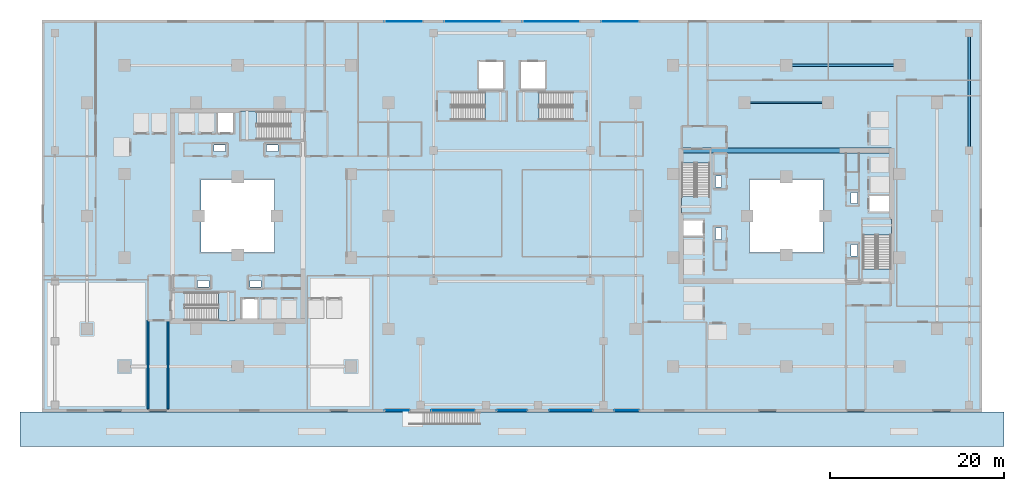
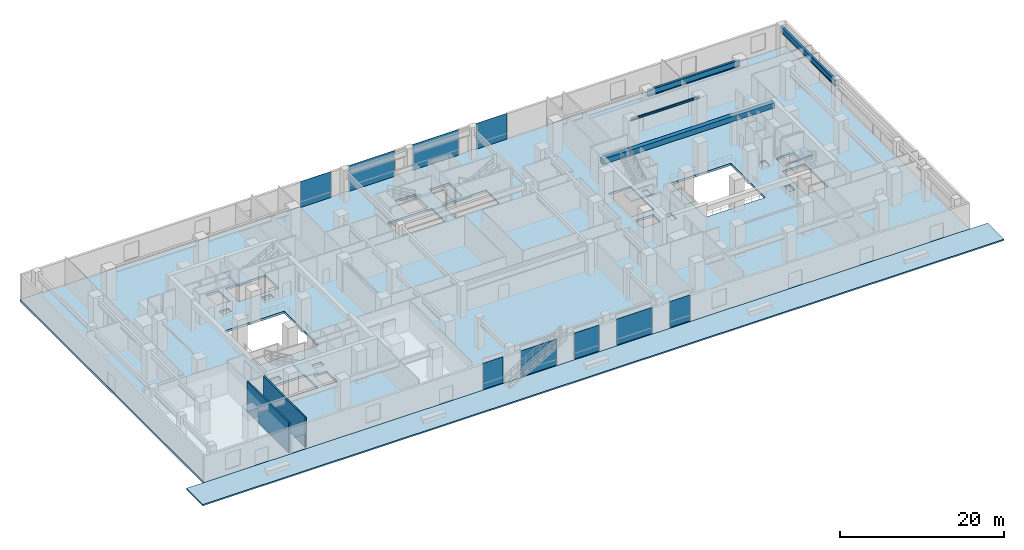
# One storey, part 11 of 24: 9 plates, 8 slabs, 4 beams, 2 walls, 15 elements without a shape of their own.
"""IFC4 building model written with IfcOpenShell, lengths in metres."""

from ifc_helpers import new_model, si_unit, direction, frame, frame_2d, origin, origin_2d, place, context, subcontext, project, spatial, polyline, rectangle, i_section, outline, extrude, material, layer, layer_set, material_profile, profile_set, type_object, element, aggregate, save


model = new_model("IFC4")

# Units and contexts
model_context = context("Model", 3, precision=1e-05, world=origin(), true_north=direction((0.0, 1.0)))
body_context = subcontext(model_context, "Body", "Model", "MODEL_VIEW")
ifc_project = project(units=[si_unit("LENGTHUNIT", "METRE"), si_unit("AREAUNIT", "SQUARE_METRE"), si_unit("VOLUMEUNIT", "CUBIC_METRE"), si_unit("PLANEANGLEUNIT", "RADIAN"), si_unit("MASSUNIT", "GRAM", prefix="KILO")], contexts=[model_context])

# Site, building, storey
site_placement = place(None, origin())
site = spatial("IfcSite", under=ifc_project, at=site_placement, CompositionType="ELEMENT")
building_placement = place(site_placement, origin())
building = spatial("IfcBuilding", under=site, at=building_placement, Name="Thornwick Lancets Civic Towers", CompositionType="ELEMENT")
storey_placement = place(building_placement, origin())
storey = spatial("IfcBuildingStorey", under=building, at=storey_placement, Name="L00", CompositionType="ELEMENT", Elevation=0.0)

# Beams
ifc_material_1 = material(Name="Concrete C60/75", Category="concrete")
ifc_material_profile_1 = material_profile(ifc_material_1, rectangle(XDim=0.60009765625, YDim=0.800048828125, at=origin_2d()), Name="RC 600x800")
ifc_profile_set_1 = profile_set([ifc_material_profile_1], Name="Concrete C60/75")
beam_type_1 = type_object("IfcBeamType", Name="BM_COUP_RC800", PredefinedType="BEAM", material=ifc_profile_set_1)
beam_1_placement = place(storey_placement, frame((76.39990234375, 34.5, 4.080078125), z_axis=(1.0, 0.0, 0.0), x_axis=(0.0, 1.0, 0.0)))
element("IfcBeam", 1, at=beam_1_placement, inside=storey, type_object=beam_type_1, Name="CB-L00-B1", PredefinedType="BEAM", context=body_context, shape_type="SweptSolid", body=[
    extrude(rectangle(XDim=0.60009765625, YDim=0.800048828125, at=origin_2d()), origin(), (0.0, 0.0, 1.0), 24.2001953125),
])
ifc_material_2 = material(Name="Steel S355JR", Category="steel")
ifc_material_profile_2 = material_profile(ifc_material_2, i_section(OverallWidth=0.1669921875, OverallDepth=0.310302734375, WebThickness=0.0078125, FlangeThickness=0.013671875, FilletRadius=0.0087890625, at=origin_2d()), Name="UKB 305x165x54")
ifc_profile_set_2 = profile_set([ifc_material_profile_2], Name="Steel S355JR")
beam_type_2 = type_object("IfcBeamType", Name="BM_LINTEL_305_54", PredefinedType="LINTEL", material=ifc_profile_set_2)
beam_2_placement = place(storey_placement, frame((93.300048828125, 40.0, 4.32470703125), z_axis=(-1.0, 0.0, 0.0), x_axis=(0.0, -1.0, 0.0)))
element("IfcBeam", 2, at=beam_2_placement, inside=storey, type_object=beam_type_2, Name="BM-INSP-L00-B-1-3", PredefinedType="LINTEL", context=body_context, shape_type="SweptSolid", body=[
    extrude(i_section(OverallWidth=0.1669921875, OverallDepth=0.310302734375, WebThickness=0.0078125, FlangeThickness=0.013671875, FilletRadius=0.0087890625, at=origin_2d()), origin(), (0.0, 0.0, 1.0), 9.60009765625),
])
ifc_material_profile_3 = material_profile(ifc_material_2, i_section(OverallWidth=0.3076171875, OverallDepth=0.926513671875, WebThickness=0.01953125, FlangeThickness=0.031982421875, FilletRadius=0.01904296875, at=origin_2d()), Name="UKB 914x305x289")
ifc_profile_set_3 = profile_set([ifc_material_profile_3], Name="Steel S355JR")
beam_type_3 = type_object("IfcBeamType", Name="BM_POD_914_289", PredefinedType="BEAM", material=ifc_profile_set_3)
beam_3_placement = place(storey_placement, frame((101.5, 44.300048828125, 4.0166015625), z_axis=(-1.0, 0.0, 0.0), x_axis=(0.0, -1.0, 0.0)))
element("IfcBeam", 3, at=beam_3_placement, inside=storey, type_object=beam_type_3, Name="BM-SPINE-L00-B-3-4", PredefinedType="BEAM", context=body_context, shape_type="SweptSolid", body=[
    extrude(i_section(OverallWidth=0.3076171875, OverallDepth=0.926513671875, WebThickness=0.01953125, FlangeThickness=0.031982421875, FilletRadius=0.01904296875, at=origin_2d()), origin(), (0.0, 0.0, 1.0), 13.0),
])
beam_4_placement = place(storey_placement, frame((109.5, 34.580078125, 4.0166015625), z_axis=(0.0, 1.0, 0.0), x_axis=(-1.0, 0.0, 0.0)))
element("IfcBeam", 4, at=beam_4_placement, inside=storey, type_object=beam_type_3, Name="BM-PODG-L00-21-22", PredefinedType="BEAM", context=body_context, shape_type="SweptSolid", body=[
    extrude(i_section(OverallWidth=0.3076171875, OverallDepth=0.926513671875, WebThickness=0.01953125, FlangeThickness=0.031982421875, FilletRadius=0.01904296875, at=origin_2d()), origin(), (0.0, 0.0, 1.0), 13.419921875),
])

# Curtain wall, plate
ifc_material_3 = material(Name="Bronze aluminium Gothic lancet podium curtain wall", Category="aluminium")
curtain_wall_type = type_object("IfcCurtainWallType", Name="CW_SYS_01", PredefinedType="NOTDEFINED", material=ifc_material_3)
curtain_wall_1_placement = place(storey_placement, origin())
curtain_wall_1 = element("IfcCurtainWall", 5, at=curtain_wall_1_placement, inside=storey, type_object=curtain_wall_type, Name="L00 Curtain Wall CW-L00-POD-SC-S1", PredefinedType="NOTDEFINED")
ifc_material_4 = material(Name="Low-e double glazing clear glass", Category="glass")
ifc_layer_1 = layer(ifc_material_4, 0.035888671875, Name="Low-e double glazing clear glass")
ifc_layer_set_1 = layer_set([ifc_layer_1], Name="Low-e double glazing clear glass")
plate_type = type_object("IfcPlateType", Name="CW_PNL_GLASS", PredefinedType="CURTAIN_PANEL", material=ifc_layer_set_1)
plate_1_placement = place(storey_placement, frame((43.824951171875, 4.659912109375, 0.0), z_axis=(0.0, 0.0, 1.0), x_axis=(1.0, 0.0, 0.0)))
plate_1 = element("IfcPlate", 6, at=plate_1_placement, type_object=plate_type, Name="CW-L00-POD-SC-S1 Panel 0", PredefinedType="CURTAIN_PANEL", context=body_context, shape_type="SweptSolid", body=[
    extrude(rectangle(XDim=2.845947265625, YDim=0.035888671875, at=origin_2d()), origin(), (0.0, 0.0, 1.0), 3.860107421875),
])
aggregate(curtain_wall_1, [plate_1])

curtain_wall_2_placement = place(storey_placement, origin())
curtain_wall_2 = element("IfcCurtainWall", 7, at=curtain_wall_2_placement, inside=storey, type_object=curtain_wall_type, Name="L00 Curtain Wall CW-L00-POD-SC-S2", PredefinedType="NOTDEFINED")
plate_2_placement = place(storey_placement, frame((50.25, 4.659912109375, 0.0), z_axis=(0.0, 0.0, 1.0), x_axis=(1.0, 0.0, 0.0)))
plate_2 = element("IfcPlate", 8, at=plate_2_placement, type_object=plate_type, Name="CW-L00-POD-SC-S2 Panel 0", PredefinedType="CURTAIN_PANEL", context=body_context, shape_type="SweptSolid", body=[
    extrude(rectangle(XDim=4.99609375, YDim=0.035888671875, at=origin_2d()), origin(), (0.0, 0.0, 1.0), 3.860107421875),
])
aggregate(curtain_wall_2, [plate_2])

curtain_wall_3_placement = place(storey_placement, origin())
curtain_wall_3 = element("IfcCurtainWall", 9, at=curtain_wall_3_placement, inside=storey, type_object=curtain_wall_type, Name="L00 Curtain Wall CW-L00-POD-SC-S3", PredefinedType="NOTDEFINED")
plate_3_placement = place(storey_placement, frame((57.0, 4.659912109375, 0.0), z_axis=(0.0, 0.0, 1.0), x_axis=(1.0, 0.0, 0.0)))
plate_3 = element("IfcPlate", 10, at=plate_3_placement, type_object=plate_type, Name="CW-L00-POD-SC-S3 Panel 0", PredefinedType="CURTAIN_PANEL", context=body_context, shape_type="SweptSolid", body=[
    extrude(rectangle(XDim=3.49609375, YDim=0.035888671875, at=origin_2d()), origin(), (0.0, 0.0, 1.0), 3.860107421875),
])
aggregate(curtain_wall_3, [plate_3])

curtain_wall_4_placement = place(storey_placement, origin())
curtain_wall_4 = element("IfcCurtainWall", 11, at=curtain_wall_4_placement, inside=storey, type_object=curtain_wall_type, Name="L00 Curtain Wall CW-L00-POD-SC-S4", PredefinedType="NOTDEFINED")
plate_4_placement = place(storey_placement, frame((63.75, 4.659912109375, 0.0), z_axis=(0.0, 0.0, 1.0), x_axis=(1.0, 0.0, 0.0)))
plate_4 = element("IfcPlate", 12, at=plate_4_placement, type_object=plate_type, Name="CW-L00-POD-SC-S4 Panel 0", PredefinedType="CURTAIN_PANEL", context=body_context, shape_type="SweptSolid", body=[
    extrude(rectangle(XDim=4.99609375, YDim=0.035888671875, at=origin_2d()), origin(), (0.0, 0.0, 1.0), 3.860107421875),
])
aggregate(curtain_wall_4, [plate_4])

curtain_wall_5_placement = place(storey_placement, origin())
curtain_wall_5 = element("IfcCurtainWall", 13, at=curtain_wall_5_placement, inside=storey, type_object=curtain_wall_type, Name="L00 Curtain Wall CW-L00-POD-SC-S5", PredefinedType="NOTDEFINED")
plate_5_placement = place(storey_placement, frame((70.175048828125, 4.659912109375, 0.0), z_axis=(0.0, 0.0, 1.0), x_axis=(1.0, 0.0, 0.0)))
plate_5 = element("IfcPlate", 14, at=plate_5_placement, type_object=plate_type, Name="CW-L00-POD-SC-S5 Panel 0", PredefinedType="CURTAIN_PANEL", context=body_context, shape_type="SweptSolid", body=[
    extrude(rectangle(XDim=2.845947265625, YDim=0.035888671875, at=origin_2d()), origin(), (0.0, 0.0, 1.0), 3.860107421875),
])
aggregate(curtain_wall_5, [plate_5])

curtain_wall_6_placement = place(storey_placement, origin())
curtain_wall_6 = element("IfcCurtainWall", 15, at=curtain_wall_6_placement, inside=storey, type_object=curtain_wall_type, Name="L00 Curtain Wall CW-L00-POD-NC-S1", PredefinedType="NOTDEFINED")
plate_6_placement = place(storey_placement, frame((69.425048828125, 49.340087890625, 0.0), z_axis=(0.0, 0.0, 1.0), x_axis=(-1.0, 0.0, 0.0)))
plate_6 = element("IfcPlate", 16, at=plate_6_placement, type_object=plate_type, Name="CW-L00-POD-NC-S1 Panel 0", PredefinedType="CURTAIN_PANEL", context=body_context, shape_type="SweptSolid", body=[
    extrude(rectangle(XDim=4.345947265625, YDim=0.035888671875, at=origin_2d()), origin(), (0.0, 0.0, 1.0), 3.860107421875),
])
aggregate(curtain_wall_6, [plate_6])

curtain_wall_7_placement = place(storey_placement, origin())
curtain_wall_7 = element("IfcCurtainWall", 17, at=curtain_wall_7_placement, inside=storey, type_object=curtain_wall_type, Name="L00 Curtain Wall CW-L00-POD-NC-S2", PredefinedType="NOTDEFINED")
plate_7_placement = place(storey_placement, frame((61.5, 49.340087890625, 0.0), z_axis=(0.0, 0.0, 1.0), x_axis=(-1.0, 0.0, 0.0)))
plate_7 = element("IfcPlate", 18, at=plate_7_placement, type_object=plate_type, Name="CW-L00-POD-NC-S2 Panel 0", PredefinedType="CURTAIN_PANEL", context=body_context, shape_type="SweptSolid", body=[
    extrude(rectangle(XDim=6.49609375, YDim=0.035888671875, at=origin_2d()), origin(), (0.0, 0.0, 1.0), 3.860107421875),
])
aggregate(curtain_wall_7, [plate_7])

curtain_wall_8_placement = place(storey_placement, origin())
curtain_wall_8 = element("IfcCurtainWall", 19, at=curtain_wall_8_placement, inside=storey, type_object=curtain_wall_type, Name="L00 Curtain Wall CW-L00-POD-NC-S3", PredefinedType="NOTDEFINED")
plate_8_placement = place(storey_placement, frame((52.5, 49.340087890625, 0.0), z_axis=(0.0, 0.0, 1.0), x_axis=(-1.0, 0.0, 0.0)))
plate_8 = element("IfcPlate", 20, at=plate_8_placement, type_object=plate_type, Name="CW-L00-POD-NC-S3 Panel 0", PredefinedType="CURTAIN_PANEL", context=body_context, shape_type="SweptSolid", body=[
    extrude(rectangle(XDim=6.49609375, YDim=0.035888671875, at=origin_2d()), origin(), (0.0, 0.0, 1.0), 3.860107421875),
])
aggregate(curtain_wall_8, [plate_8])

curtain_wall_9_placement = place(storey_placement, origin())
curtain_wall_9 = element("IfcCurtainWall", 21, at=curtain_wall_9_placement, inside=storey, type_object=curtain_wall_type, Name="L00 Curtain Wall CW-L00-POD-NC-S4", PredefinedType="NOTDEFINED")
plate_9_placement = place(storey_placement, frame((44.574951171875, 49.340087890625, 0.0), z_axis=(0.0, 0.0, 1.0), x_axis=(-1.0, 0.0, 0.0)))
plate_9 = element("IfcPlate", 22, at=plate_9_placement, type_object=plate_type, Name="CW-L00-POD-NC-S4 Panel 0", PredefinedType="CURTAIN_PANEL", context=body_context, shape_type="SweptSolid", body=[
    extrude(rectangle(XDim=4.345947265625, YDim=0.035888671875, at=origin_2d()), origin(), (0.0, 0.0, 1.0), 3.860107421875),
])
aggregate(curtain_wall_9, [plate_9])

# Stair, slab
ifc_material_5 = material(Name="Concrete C40/50", Category="concrete")
stair_type = type_object("IfcStairType", Name="STAIR_DL_4800", PredefinedType="HALF_TURN_STAIR", material=ifc_material_5)
stair_1_placement = place(storey_placement, origin())
stair_1 = element("IfcStair", 23, at=stair_1_placement, inside=storey, type_object=stair_type, Name="L00 Tower A South Exit Stair ST-A1", PredefinedType="HALF_TURN_STAIR")
ifc_layer_2 = layer(ifc_material_5, 0.25, Name="Concrete C40/50")
ifc_layer_set_2 = layer_set([ifc_layer_2], Name="Concrete C40/50")
slab_type_1 = type_object("IfcSlabType", Name="SLAB_LANDING_200", PredefinedType="LANDING", material=ifc_layer_set_2)
slab_1_placement = place(storey_placement, frame((0.0, 0.0, 2.202880859375)))
slab_1 = element("IfcSlab", 24, at=slab_1_placement, type_object=slab_type_1, Name="ST-A1 landing 1", PredefinedType="LANDING", context=body_context, shape_type="SweptSolid", body=[
    extrude(outline(polyline([(23.2900390625, 14.93994140625), (25.14990234375, 14.93994140625), (25.14990234375, 18.260009765625), (23.2900390625, 18.260009765625), (23.2900390625, 14.93994140625)])), origin(), (0.0, 0.0, 1.0), 0.2001953125),
])
aggregate(stair_1, [slab_1])

stair_2_placement = place(storey_placement, origin())
stair_2 = element("IfcStair", 25, at=stair_2_placement, inside=storey, type_object=stair_type, Name="L00 Tower A North Exit Stair ST-A2", PredefinedType="HALF_TURN_STAIR")
slab_2_placement = place(storey_placement, frame((0.0, 0.0, 2.202880859375)))
slab_2 = element("IfcSlab", 26, at=slab_2_placement, type_object=slab_type_1, Name="ST-A2 landing 1", PredefinedType="LANDING", context=body_context, shape_type="SweptSolid", body=[
    extrude(outline(polyline([(27.7099609375, 39.06005859375), (25.85009765625, 39.06005859375), (25.85009765625, 35.739990234375), (27.7099609375, 35.739990234375), (27.7099609375, 39.06005859375)])), origin(), (0.0, 0.0, 1.0), 0.2001953125),
])
aggregate(stair_2, [slab_2])

stair_3_placement = place(storey_placement, origin())
stair_3 = element("IfcStair", 27, at=stair_3_placement, inside=storey, type_object=stair_type, Name="L00 Tower B East Exit Stair ST-B1", PredefinedType="HALF_TURN_STAIR")
slab_3_placement = place(storey_placement, frame((0.0, 0.0, 2.202880859375)))
slab_3 = element("IfcSlab", 28, at=slab_3_placement, type_object=slab_type_1, Name="ST-B1 landing 1", PredefinedType="LANDING", context=body_context, shape_type="SweptSolid", body=[
    extrude(outline(polyline([(100.56005859375, 24.7900390625), (100.56005859375, 26.64990234375), (97.239990234375, 26.64990234375), (97.239990234375, 24.7900390625), (100.56005859375, 24.7900390625)])), origin(), (0.0, 0.0, 1.0), 0.2001953125),
])
aggregate(stair_3, [slab_3])

stair_4_placement = place(storey_placement, origin())
stair_4 = element("IfcStair", 29, at=stair_4_placement, inside=storey, type_object=stair_type, Name="L00 Tower B West Exit Stair ST-B2", PredefinedType="HALF_TURN_STAIR")
slab_4_placement = place(storey_placement, frame((0.0, 0.0, 2.202880859375)))
slab_4 = element("IfcSlab", 30, at=slab_4_placement, type_object=slab_type_1, Name="ST-B2 landing 1", PredefinedType="LANDING", context=body_context, shape_type="SweptSolid", body=[
    extrude(outline(polyline([(76.43994140625, 29.2099609375), (76.43994140625, 27.35009765625), (79.760009765625, 27.35009765625), (79.760009765625, 29.2099609375), (76.43994140625, 29.2099609375)])), origin(), (0.0, 0.0, 1.0), 0.2001953125),
])
aggregate(stair_4, [slab_4])

stair_5_placement = place(storey_placement, origin())
stair_5 = element("IfcStair", 31, at=stair_5_placement, inside=storey, type_object=stair_type, Name="L00 Podium Central West Exit Stair ST-P5", PredefinedType="HALF_TURN_STAIR")
slab_5_placement = place(storey_placement, frame((0.0, 0.0, 2.202880859375)))
slab_5 = element("IfcSlab", 32, at=slab_5_placement, type_object=slab_type_1, Name="ST-P5 landing 1", PredefinedType="LANDING", context=body_context, shape_type="SweptSolid", body=[
    extrude(outline(polyline([(53.889892578125, 37.93994140625), (56.35009765625, 37.93994140625), (56.35009765625, 41.260009765625), (53.889892578125, 41.260009765625), (53.889892578125, 37.93994140625)])), origin(), (0.0, 0.0, 1.0), 0.2001953125),
])
aggregate(stair_5, [slab_5])

stair_6_placement = place(storey_placement, origin())
stair_6 = element("IfcStair", 33, at=stair_6_placement, inside=storey, type_object=stair_type, Name="L00 Podium Central East Exit Stair ST-P6", PredefinedType="HALF_TURN_STAIR")
slab_6_placement = place(storey_placement, frame((0.0, 0.0, 2.202880859375)))
slab_6 = element("IfcSlab", 34, at=slab_6_placement, type_object=slab_type_1, Name="ST-P6 landing 1", PredefinedType="LANDING", context=body_context, shape_type="SweptSolid", body=[
    extrude(outline(polyline([(60.110107421875, 41.260009765625), (57.64990234375, 41.260009765625), (57.64990234375, 37.93994140625), (60.110107421875, 37.93994140625), (60.110107421875, 41.260009765625)])), origin(), (0.0, 0.0, 1.0), 0.2001953125),
])
aggregate(stair_6, [slab_6])

# Slabs
ifc_material_6 = material(Name="Yorkstone paving on concrete C32/40", Category="masonry")
ifc_layer_3 = layer(ifc_material_6, 0.199951171875, Name="Yorkstone paving on concrete C32/40")
ifc_layer_set_3 = layer_set([ifc_layer_3], Name="Yorkstone paving on concrete C32/40")
slab_type_2 = type_object("IfcSlabType", Name="SLAB_PLAZA_200", PredefinedType="USERDEFINED", material=ifc_layer_set_3)
slab_7_placement = place(storey_placement, frame((0.0, 0.0, -0.199951171875)))
element("IfcSlab", 35, at=slab_7_placement, inside=storey, type_object=slab_type_2, Name="L00 South Public Garden Plaza Paving", ObjectType="PAVING", PredefinedType="USERDEFINED", context=body_context, shape_type="SweptSolid", body=[
    extrude(outline(polyline([(0.5, 0.5), (113.5, 0.5), (113.5, 4.5), (0.5, 4.5), (0.5, 0.5)])), origin(), (0.0, 0.0, 1.0), 0.199951171875),
])
ifc_material_7 = material(Name="Post-tensioned concrete C40/50", Category="concrete")
ifc_layer_4 = layer(ifc_material_7, 0.320068359375, Name="Post-tensioned concrete C40/50")
ifc_layer_set_4 = layer_set([ifc_layer_4], Name="Post-tensioned concrete C40/50")
slab_type_3 = type_object("IfcSlabType", Name="SLAB_PT_320", PredefinedType="FLOOR", material=ifc_layer_set_4)
slab_8_placement = place(storey_placement, frame((0.0, 0.0, -0.320068359375)))
element("IfcSlab", 36, at=slab_8_placement, inside=storey, type_object=slab_type_3, Name="L00 Podium Structural Floor Slab", PredefinedType="FLOOR", context=body_context, shape_type="SweptSolid", body=[
    extrude(outline(polyline([(3.0, 4.5), (111.0, 4.5), (111.0, 49.5), (3.0, 49.5), (3.0, 4.5)]), holes=[polyline([(21.300048828125, 22.800048828125), (29.699951171875, 22.800048828125), (29.699951171875, 31.199951171875), (21.300048828125, 31.199951171875), (21.300048828125, 22.800048828125)]), polyline([(84.300048828125, 22.800048828125), (92.699951171875, 22.800048828125), (92.699951171875, 31.199951171875), (84.300048828125, 31.199951171875), (84.300048828125, 22.800048828125)]), polyline([(19.429931640625, 15.0), (25.10009765625, 15.0), (25.10009765625, 18.199951171875), (19.429931640625, 18.199951171875), (19.429931640625, 15.0)]), polyline([(31.570068359375, 39.0), (25.89990234375, 39.0), (25.89990234375, 35.800048828125), (31.570068359375, 35.800048828125), (31.570068359375, 39.0)]), polyline([(100.5, 20.929931640625), (100.5, 26.60009765625), (97.300048828125, 26.60009765625), (97.300048828125, 20.929931640625), (100.5, 20.929931640625)]), polyline([(76.5, 33.070068359375), (76.5, 27.39990234375), (79.699951171875, 27.39990234375), (79.699951171875, 33.070068359375), (76.5, 33.070068359375)]), polyline([(50.030029296875, 38.0), (56.300048828125, 38.0), (56.300048828125, 41.199951171875), (50.030029296875, 41.199951171875), (50.030029296875, 38.0)]), polyline([(63.969970703125, 41.199951171875), (57.699951171875, 41.199951171875), (57.699951171875, 38.0), (63.969970703125, 38.0), (63.969970703125, 41.199951171875)]), polyline([(26.0, 15.0), (27.800048828125, 15.0), (27.800048828125, 17.550048828125), (26.0, 17.550048828125), (26.0, 15.0)]), polyline([(97.949951171875, 27.5), (100.5, 27.5), (100.5, 29.300048828125), (97.949951171875, 29.300048828125), (97.949951171875, 27.5)]), polyline([(23.199951171875, 36.449951171875), (25.0, 36.449951171875), (25.0, 39.0), (23.199951171875, 39.0), (23.199951171875, 36.449951171875)]), polyline([(76.5, 24.699951171875), (79.050048828125, 24.699951171875), (79.050048828125, 26.5), (76.5, 26.5), (76.5, 24.699951171875)]), polyline([(53.199951171875, 41.60009765625), (56.0, 41.60009765625), (56.0, 44.800048828125), (53.199951171875, 44.800048828125), (53.199951171875, 41.60009765625)]), polyline([(58.0, 41.60009765625), (60.800048828125, 41.60009765625), (60.800048828125, 44.800048828125), (58.0, 44.800048828125), (58.0, 41.60009765625)]), polyline([(26.89990234375, 18.85009765625), (28.199951171875, 18.85009765625), (28.199951171875, 19.580078125), (26.89990234375, 19.580078125), (26.89990234375, 18.85009765625)]), polyline([(20.89990234375, 18.85009765625), (22.199951171875, 18.85009765625), (22.199951171875, 19.580078125), (20.89990234375, 19.580078125), (20.89990234375, 18.85009765625)]), polyline([(22.800048828125, 34.419921875), (24.10009765625, 34.419921875), (24.10009765625, 35.14990234375), (22.800048828125, 35.14990234375), (22.800048828125, 34.419921875)]), polyline([(28.800048828125, 34.419921875), (30.10009765625, 34.419921875), (30.10009765625, 35.14990234375), (28.800048828125, 35.14990234375), (28.800048828125, 34.419921875)]), polyline([(95.919921875, 28.39990234375), (96.64990234375, 28.39990234375), (96.64990234375, 29.699951171875), (95.919921875, 29.699951171875), (95.919921875, 28.39990234375)]), polyline([(95.919921875, 22.39990234375), (96.64990234375, 22.39990234375), (96.64990234375, 23.699951171875), (95.919921875, 23.699951171875), (95.919921875, 22.39990234375)]), polyline([(80.35009765625, 24.300048828125), (81.080078125, 24.300048828125), (81.080078125, 25.60009765625), (80.35009765625, 25.60009765625), (80.35009765625, 24.300048828125)]), polyline([(80.35009765625, 30.300048828125), (81.080078125, 30.300048828125), (81.080078125, 31.60009765625), (80.35009765625, 31.60009765625), (80.35009765625, 30.300048828125)])]), origin(), (0.0, 0.0, 1.0), 0.320068359375),
])

# Walls
ifc_material_8 = material(Name="Concrete blockwork C40/50", Category="masonry")
ifc_layer_5 = layer(ifc_material_8, 0.199951171875, Name="Concrete blockwork C40/50")
ifc_layer_set_5 = layer_set([ifc_layer_5], Name="Concrete blockwork C40/50")
wall_type = type_object("IfcWallType", Name="WALL_COMP_200", PredefinedType="STANDARD", material=ifc_layer_set_5)
for number, where, z_axis, x_axis, name in (
    (37, (15.199951171875, 4.820068359375, 0.0), (0.0, 0.0, 1.0), (0.0, 1.0, 0.0), "L00 Partition L00-EXIT-PASS-A1 E2"),
    (38, (17.5, 15.0, 0.0), (0.0, 0.0, 1.0), (0.0, -1.0, 0.0), "L00 Partition L00-EXIT-PASS-A1 E4"),
):
    element("IfcWall", number, at=place(storey_placement, frame(where, z_axis=z_axis, x_axis=x_axis)), inside=storey, type_object=wall_type, Name=name, PredefinedType="STANDARD", context=body_context, shape_type="SweptSolid", body=[
        extrude(rectangle(XDim=10.179931640625, YDim=0.199951171875, at=frame_2d((5.08984375, 0.0))), origin(), (0.0, 0.0, 1.0), 4.4599609375),
    ])

save(model, "model.ifc")
